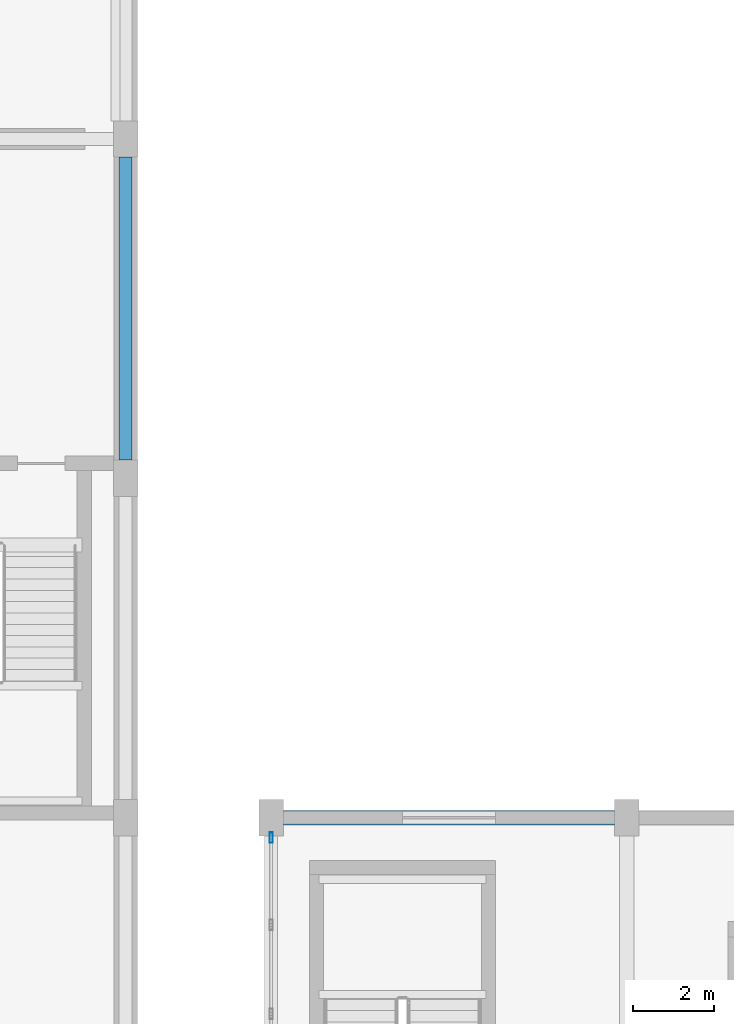
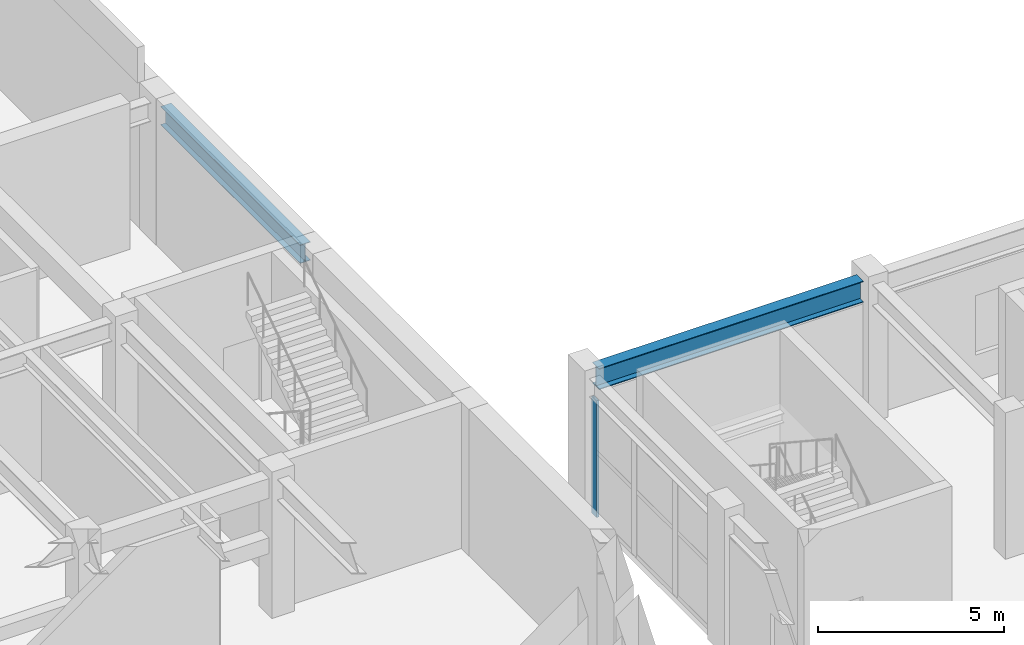
# One storey, part 48 of 85: 2 beams, 1 member, 1 element without a shape of its own.
"""IFC4 building model written with IfcOpenShell, lengths in metres."""

from ifc_helpers import new_model, si_unit, direction, frame, origin, origin_2d, place, context, subcontext, project, spatial, hollow_rectangle, i_section, extrude, material, layer, layer_set, material_profile, profile_set, type_object, element, aggregate, save


model = new_model("IFC4")

# Units and contexts
model_context = context("Model", 3, precision=1e-05, world=origin(), true_north=direction((0.0, 1.0)))
body_context = subcontext(model_context, "Body", "Model", "MODEL_VIEW")
ifc_project = project(units=[si_unit("LENGTHUNIT", "METRE"), si_unit("AREAUNIT", "SQUARE_METRE"), si_unit("VOLUMEUNIT", "CUBIC_METRE"), si_unit("PLANEANGLEUNIT", "RADIAN"), si_unit("MASSUNIT", "GRAM", prefix="KILO")], contexts=[model_context])

# Site, building, storey
site_placement = place(None, origin())
site = spatial("IfcSite", under=ifc_project, at=site_placement, CompositionType="ELEMENT")
building_placement = place(site_placement, origin())
building = spatial("IfcBuilding", under=site, at=building_placement, Name="Vaelkrest Opera House", CompositionType="ELEMENT")
storey_placement = place(building_placement, frame((0.0, 0.0, 10.199951171875)))
storey = spatial("IfcBuildingStorey", under=building, at=storey_placement, Name="L02", CompositionType="ELEMENT", Elevation=10.199951171875)

# Curtain wall, member
ifc_material_1 = material(Name="Dark bronze anodized aluminium", Category="aluminium")
ifc_layer = layer(ifc_material_1, 0.25)
ifc_layer_set = layer_set([ifc_layer], Name="Dark bronze anodized aluminium")
curtain_wall_type = type_object("IfcCurtainWallType", Name="CW08", PredefinedType="NOTDEFINED", material=ifc_layer_set)
curtain_wall_placement = place(storey_placement, origin())
curtain_wall = element("IfcCurtainWall", 1, at=curtain_wall_placement, inside=storey, type_object=curtain_wall_type, Name="Curtain wall CW-L02-163", PredefinedType="NOTDEFINED")
ifc_material_profile_1 = material_profile(ifc_material_1, hollow_rectangle(XDim=0.080078125, YDim=0.260009765625, WallThickness=0.0048828125, at=origin_2d()), Name="CWM80X260")
ifc_profile_set_1 = profile_set([ifc_material_profile_1], Name="Dark bronze anodized aluminium")
member_type = type_object("IfcMemberType", Name="CWM04", PredefinedType="MULLION", material=ifc_profile_set_1)
member_placement = place(storey_placement, frame((33.60009765625, 24.7119140625, 0.0), z_axis=(0.0, 0.0, 1.0), x_axis=(-1.0, 0.0, 0.0)))
member = element("IfcMember", 2, at=member_placement, type_object=member_type, Name="CW08 mullion 4", PredefinedType="MULLION", context=body_context, shape_type="SweptSolid", body=[
    extrude(hollow_rectangle(XDim=0.080078125, YDim=0.260009765625, WallThickness=0.0048828125, at=origin_2d()), origin(), (0.0, 0.0, 1.0), 3.8291015625),
])
aggregate(curtain_wall, [member])

# Beams
ifc_material_2 = material(Name="Steel A992 Gr50", Category="steel")
ifc_material_profile_2 = material_profile(ifc_material_2, i_section(OverallWidth=0.323974609375, OverallDepth=0.611083984375, WebThickness=0.0126953125, FlangeThickness=0.01904296875, at=origin_2d()), Name="W24X104")
ifc_profile_set_2 = profile_set([ifc_material_profile_2], Name="Steel A992 Gr50")
beam_type_1 = type_object("IfcBeamType", Name="SP01", PredefinedType="SPANDREL", material=ifc_profile_set_2)
beam_1_placement = place(storey_placement, frame((30.0, 34.050048828125, 4.199462890625), z_axis=(0.0, 1.0, 0.0), x_axis=(-1.0, 0.0, 0.0)))
element("IfcBeam", 3, at=beam_1_placement, inside=storey, type_object=beam_type_1, Name="Beam BM-V2-L02-1019", PredefinedType="SPANDREL", context=body_context, shape_type="SweptSolid", body=[
    extrude(i_section(OverallWidth=0.323974609375, OverallDepth=0.611083984375, WebThickness=0.0126953125, FlangeThickness=0.01904296875, at=origin_2d()), origin(), (0.0, 0.0, 1.0), 7.5),
])
ifc_material_profile_3 = material_profile(ifc_material_2, i_section(OverallWidth=0.35498046875, OverallDepth=0.695068359375, WebThickness=0.015380859375, FlangeThickness=0.02490234375, at=origin_2d()), Name="W27X146")
ifc_profile_set_3 = profile_set([ifc_material_profile_3], Name="Steel A992 Gr50")
beam_type_2 = type_object("IfcBeamType", Name="SP02", PredefinedType="SPANDREL", material=ifc_profile_set_3)
beam_2_placement = place(storey_placement, frame((33.89990234375, 25.199951171875, 4.157470703125), z_axis=(1.0, 0.0, 0.0), x_axis=(0.0, 1.0, 0.0)))
element("IfcBeam", 4, at=beam_2_placement, inside=storey, type_object=beam_type_2, Name="Beam BM-V4-L02-2275", PredefinedType="SPANDREL", context=body_context, shape_type="SweptSolid", body=[
    extrude(i_section(OverallWidth=0.35498046875, OverallDepth=0.695068359375, WebThickness=0.015380859375, FlangeThickness=0.02490234375, at=origin_2d()), origin(), (0.0, 0.0, 1.0), 8.2001953125),
])

save(model, "model.ifc")
